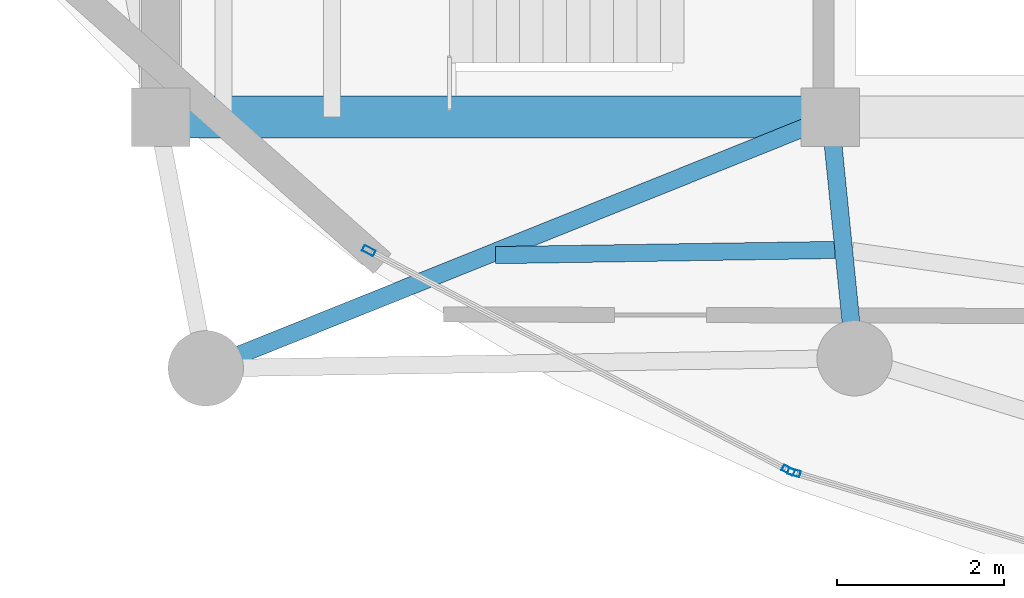
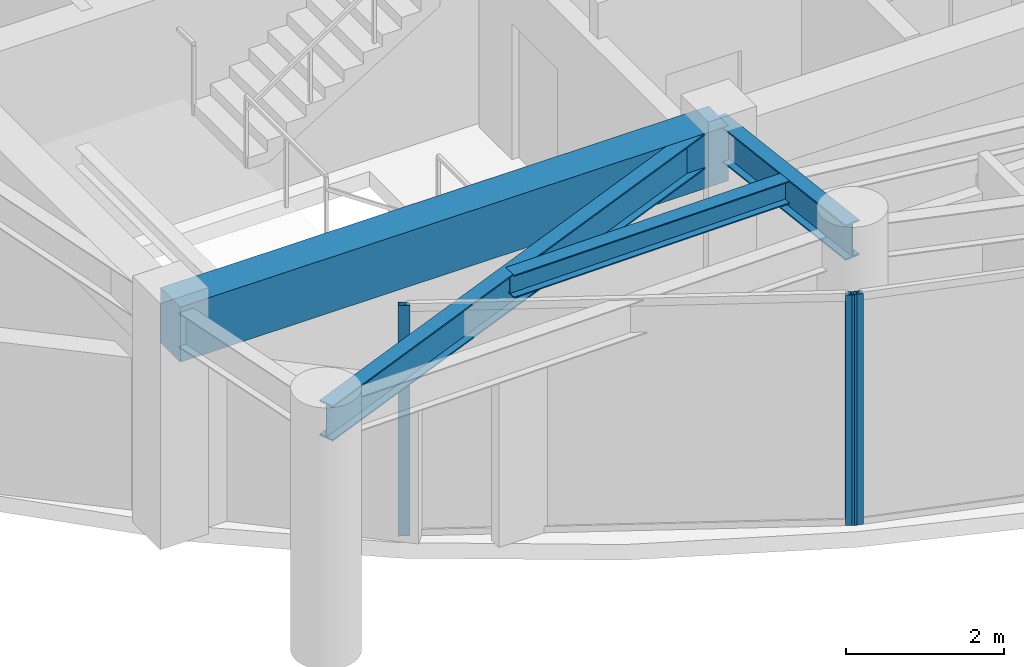
# One storey, part 2 of 30: 4 beams, 3 members, 2 elements without a shape of their own.
"""IFC4 building model written with IfcOpenShell, lengths in metres."""

from ifc_helpers import new_model, si_unit, direction, frame, origin, origin_2d, place, context, subcontext, project, spatial, rectangle, hollow_rectangle, i_section, extrude, material, layer, layer_set, material_profile, profile_set, type_object, element, aggregate, save


model = new_model("IFC4")

# Units and contexts
model_context = context("Model", 3, precision=1e-05, world=origin(), true_north=direction((0.0, 1.0)))
body_context = subcontext(model_context, "Body", "Model", "MODEL_VIEW")
ifc_project = project(units=[si_unit("LENGTHUNIT", "METRE"), si_unit("AREAUNIT", "SQUARE_METRE"), si_unit("VOLUMEUNIT", "CUBIC_METRE"), si_unit("PLANEANGLEUNIT", "RADIAN"), si_unit("MASSUNIT", "GRAM", prefix="KILO")], contexts=[model_context])

# Site, building, storey
site_placement = place(None, origin())
site = spatial("IfcSite", under=ifc_project, at=site_placement, CompositionType="ELEMENT")
building_placement = place(site_placement, origin())
building = spatial("IfcBuilding", under=site, at=building_placement, Name="Kazevale Care Tower and Concert Hall", CompositionType="ELEMENT")
storey_placement = place(building_placement, frame((0.0, 0.0, 258.60009765625)))
storey = spatial("IfcBuildingStorey", under=building, at=storey_placement, Name="L68", CompositionType="ELEMENT", Elevation=258.60009765625)

# Curtain wall, member
ifc_material_1 = material(Name="Aluminium 6063-T6 and Low-E Glass", Category="aluminium")
ifc_layer = layer(ifc_material_1, 0.179931640625)
ifc_layer_set = layer_set([ifc_layer], Name="Aluminium 6063-T6 and Low-E Glass")
curtain_wall_type = type_object("IfcCurtainWallType", Name="Sheltered Concave Balcony Curtain Wall CW-5", PredefinedType="NOTDEFINED", material=ifc_layer_set)
curtain_wall_1_placement = place(storey_placement, origin())
curtain_wall_1 = element("IfcCurtainWall", 1, at=curtain_wall_1_placement, inside=storey, type_object=curtain_wall_type, Name="cw:L68:f08", PredefinedType="NOTDEFINED")
ifc_material_2 = material(Name="Aluminium 6063-T6", Category="aluminium")
ifc_material_profile_1 = material_profile(ifc_material_2, hollow_rectangle(XDim=0.074951171875, YDim=0.14990234375, WallThickness=0.00390625, at=origin_2d()), Name="ALU75x150x4")
ifc_profile_set_1 = profile_set([ifc_material_profile_1], Name="Aluminium 6063-T6")
member_type = type_object("IfcMemberType", Name="CW-5 Mullion ALU75x150x4", PredefinedType="MULLION", material=ifc_profile_set_1)
member_1_placement = place(storey_placement, frame((29.56689453125, 19.3544921875, 0.0), z_axis=(0.0, 0.0, 1.0), x_axis=(-0.283202506274, -0.959060133902, 0.0)))
member_1 = element("IfcMember", 2, at=member_1_placement, type_object=member_type, Name="CW-5 mullion 2", PredefinedType="MULLION", context=body_context, shape_type="SweptSolid", body=[
    extrude(hollow_rectangle(XDim=0.074951171875, YDim=0.14990234375, WallThickness=0.00390625, at=origin_2d()), origin(), (0.0, 0.0, 1.0), 3.559814453125),
])
aggregate(curtain_wall_1, [member_1])

# Curtain wall, members
curtain_wall_2_placement = place(storey_placement, origin())
curtain_wall_2 = element("IfcCurtainWall", 3, at=curtain_wall_2_placement, inside=storey, type_object=curtain_wall_type, Name="cw:L68:f09", PredefinedType="NOTDEFINED")
member_2_placement = place(storey_placement, frame((29.497802734375, 19.38232421875, 0.0), z_axis=(0.0, 0.0, 1.0), x_axis=(-0.463680915912, -0.886002261972, 0.0)))
member_2 = element("IfcMember", 4, at=member_2_placement, type_object=member_type, Name="CW-5 mullion 1", PredefinedType="MULLION", context=body_context, shape_type="SweptSolid", body=[
    extrude(hollow_rectangle(XDim=0.074951171875, YDim=0.14990234375, WallThickness=0.00390625, at=origin_2d()), origin(), (0.0, 0.0, 1.0), 3.559814453125),
])
member_3_placement = place(storey_placement, frame((24.4873046875, 22.004638671875, 0.0), z_axis=(0.0, 0.0, 1.0), x_axis=(-0.463680915912, -0.886002261972, 0.0)))
member_3 = element("IfcMember", 5, at=member_3_placement, type_object=member_type, Name="CW-5 mullion 2", PredefinedType="MULLION", context=body_context, shape_type="SweptSolid", body=[
    extrude(hollow_rectangle(XDim=0.074951171875, YDim=0.14990234375, WallThickness=0.00390625, at=origin_2d()), origin(), (0.0, 0.0, 1.0), 3.559814453125),
])
aggregate(curtain_wall_2, [member_2, member_3])

# Beams
ifc_material_3 = material(Name="Concrete C60", Category="concrete")
ifc_material_profile_2 = material_profile(ifc_material_3, rectangle(XDim=0.5, YDim=0.85009765625, at=origin_2d()), Name="RC-B500x850")
ifc_profile_set_2 = profile_set([ifc_material_profile_2], Name="Concrete C60")
beam_type_1 = type_object("IfcBeamType", Name="Core Coupling Beam RC500x850", PredefinedType="LINTEL", material=ifc_profile_set_2)
beam_1_placement = place(storey_placement, frame((22.0, 23.60009765625, 3.135009765625), z_axis=(1.0, 0.0, 0.0), x_axis=(0.0, 1.0, 0.0)))
element("IfcBeam", 6, at=beam_1_placement, inside=storey, type_object=beam_type_1, Name="beam:L68:coretie:1", PredefinedType="LINTEL", context=body_context, shape_type="SweptSolid", body=[
    extrude(rectangle(XDim=0.5, YDim=0.85009765625, at=origin_2d()), origin(), (0.0, 0.0, 1.0), 8.0),
])
ifc_material_4 = material(Name="Steel ASTM A572 Gr 50", Category="steel")
ifc_material_profile_3 = material_profile(ifc_material_4, i_section(OverallWidth=0.2119140625, OverallDepth=0.5439453125, WebThickness=0.01318359375, FlangeThickness=0.021240234375, at=origin_2d()), Name="W530x123")
ifc_profile_set_3 = profile_set([ifc_material_profile_3], Name="Steel ASTM A572 Gr 50")
beam_type_2 = type_object("IfcBeamType", Name="Radial Floor Girder W530x123", PredefinedType="BEAM", material=ifc_profile_set_3)
beam_2_placement = place(storey_placement, frame((30.0, 23.60009765625, 3.287841796875), z_axis=(-0.927788258921, -0.373107151644, 0.0), x_axis=(0.373107151644, -0.927788258921, 0.0)))
element("IfcBeam", 7, at=beam_2_placement, inside=storey, type_object=beam_type_2, Name="beam:L68:rad:10", PredefinedType="BEAM", context=body_context, shape_type="SweptSolid", body=[
    extrude(i_section(OverallWidth=0.2119140625, OverallDepth=0.5439453125, WebThickness=0.01318359375, FlangeThickness=0.021240234375, at=origin_2d()), origin(), (0.0, 0.0, 1.0), 8.04052734375),
])
beam_3_placement = place(storey_placement, frame((30.0, 23.60009765625, 3.287841796875), z_axis=(0.100196792003, -0.994967639108, 0.0), x_axis=(0.994967639108, 0.100196792003, 0.0)))
element("IfcBeam", 8, at=beam_3_placement, inside=storey, type_object=beam_type_2, Name="beam:L68:rad:11", PredefinedType="BEAM", context=body_context, shape_type="SweptSolid", body=[
    extrude(i_section(OverallWidth=0.2119140625, OverallDepth=0.5439453125, WebThickness=0.01318359375, FlangeThickness=0.021240234375, at=origin_2d()), origin(), (0.0, 0.0, 1.0), 2.894775390625),
])
ifc_material_profile_4 = material_profile(ifc_material_4, i_section(OverallWidth=0.205078125, OverallDepth=0.35400390625, WebThickness=0.009521484375, FlangeThickness=0.016845703125, at=origin_2d()), Name="W360x79")
ifc_profile_set_4 = profile_set([ifc_material_profile_4], Name="Steel ASTM A572 Gr 50")
beam_type_3 = type_object("IfcBeamType", Name="Secondary Floor Joist W360x79", PredefinedType="JOIST", material=ifc_profile_set_4)
beam_4_placement = place(storey_placement, frame((26.001953125, 21.951904296875, 3.3828125), z_axis=(0.999882971215, 0.015298492542, 0.0), x_axis=(-0.015298492542, 0.999882971215, 0.0)))
element("IfcBeam", 9, at=beam_4_placement, inside=storey, type_object=beam_type_3, Name="beam:L68:joist:10", PredefinedType="JOIST", context=body_context, shape_type="SweptSolid", body=[
    extrude(i_section(OverallWidth=0.205078125, OverallDepth=0.35400390625, WebThickness=0.009521484375, FlangeThickness=0.016845703125, at=origin_2d()), origin(), (0.0, 0.0, 1.0), 4.053466796875),
])

save(model, "model.ifc")
